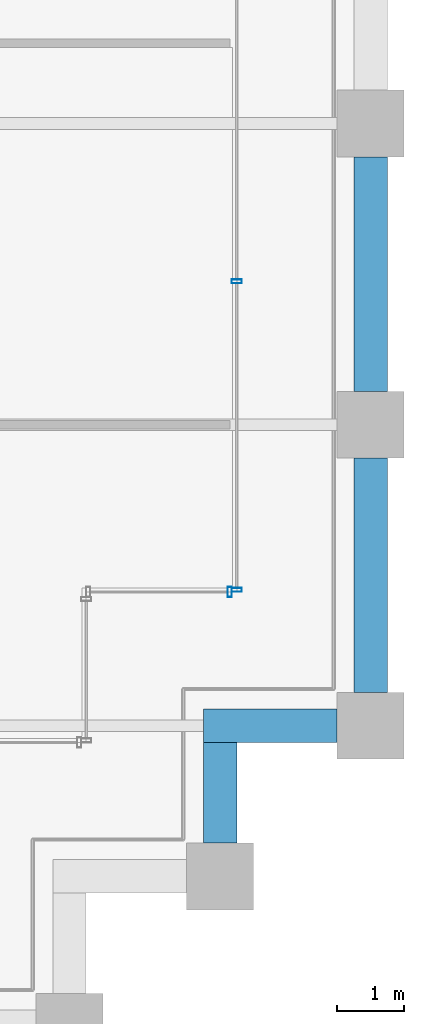
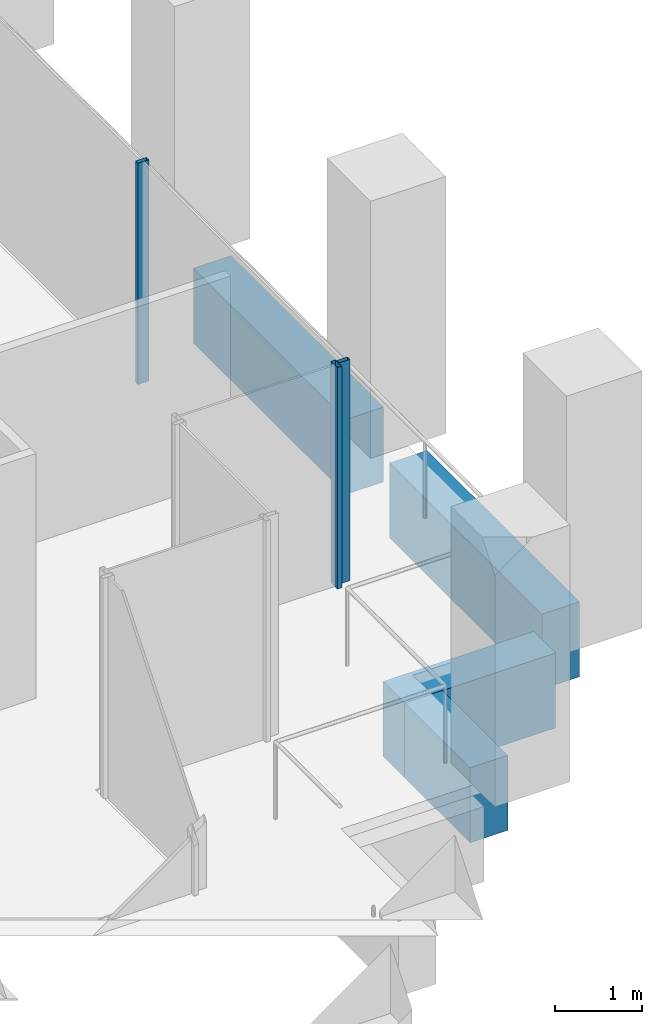
# One storey, part 37 of 47: 4 beams, 3 members, 2 elements without a shape of their own.
"""IFC4 building model written with IfcOpenShell, lengths in metres."""

from ifc_helpers import new_model, si_unit, direction, frame, origin, origin_2d, place, context, subcontext, project, spatial, rectangle, hollow_rectangle, extrude, material, material_profile, profile_set, type_object, element, aggregate, save


model = new_model("IFC4")

# Units and contexts
model_context = context("Model", 3, precision=1e-05, world=origin(), true_north=direction((0.0, 1.0)))
body_context = subcontext(model_context, "Body", "Model", "MODEL_VIEW")
ifc_project = project(units=[si_unit("LENGTHUNIT", "METRE"), si_unit("AREAUNIT", "SQUARE_METRE"), si_unit("VOLUMEUNIT", "CUBIC_METRE"), si_unit("PLANEANGLEUNIT", "RADIAN"), si_unit("MASSUNIT", "GRAM", prefix="KILO")], contexts=[model_context])

# Site, building, storey
site_placement = place(None, origin())
site = spatial("IfcSite", under=ifc_project, at=site_placement, CompositionType="ELEMENT")
building_placement = place(site_placement, origin())
building = spatial("IfcBuilding", under=site, at=building_placement, Name="Altepetl Exchange Towers", CompositionType="ELEMENT")
storey_placement = place(building_placement, frame((0.0, 0.0, 99.199951171875)))
storey = spatial("IfcBuildingStorey", under=building, at=storey_placement, Name="L24", CompositionType="ELEMENT", Elevation=99.199951171875)

# Curtain wall, member
ifc_material_1 = material(Name="Aluminium 6063-T6 glazing", Category="aluminium")
curtain_wall_type = type_object("IfcCurtainWallType", Name="Loggia glazing system", PredefinedType="NOTDEFINED", material=ifc_material_1)
curtain_wall_1_placement = place(storey_placement, origin())
curtain_wall_1 = element("IfcCurtainWall", 1, at=curtain_wall_1_placement, inside=storey, type_object=curtain_wall_type, Name="CW1 run", PredefinedType="NOTDEFINED")
ifc_material_2 = material(Name="Aluminium 6063-T6", Category="aluminium")
ifc_material_profile_1 = material_profile(ifc_material_2, hollow_rectangle(XDim=0.06005859375, YDim=0.14990234375, WallThickness=0.0029296875, at=origin_2d()), Name="Mullion 60x150 aluminium")
ifc_profile_set_1 = profile_set([ifc_material_profile_1], Name="Aluminium 6063-T6")
member_type = type_object("IfcMemberType", Name="Mullion 60x150 aluminium", PredefinedType="MULLION", material=ifc_profile_set_1)
member_1_placement = place(storey_placement, frame((123.89501953125, 33.5, 0.0)))
member_1 = element("IfcMember", 2, at=member_1_placement, type_object=member_type, Name="MU1 mullion", PredefinedType="MULLION", context=body_context, shape_type="SweptSolid", body=[
    extrude(hollow_rectangle(XDim=0.06005859375, YDim=0.14990234375, WallThickness=0.0029296875, at=origin_2d()), origin(), (0.0, 0.0, 1.0), 3.10009765625),
])
aggregate(curtain_wall_1, [member_1])

# Curtain wall, members
curtain_wall_2_placement = place(storey_placement, origin())
curtain_wall_2 = element("IfcCurtainWall", 3, at=curtain_wall_2_placement, inside=storey, type_object=curtain_wall_type, Name="CW1 run", PredefinedType="NOTDEFINED")
member_2_placement = place(storey_placement, frame((124.0, 33.530029296875, 0.0), z_axis=(0.0, 0.0, 1.0), x_axis=(0.0, 1.0, 0.0)))
member_2 = element("IfcMember", 4, at=member_2_placement, type_object=member_type, Name="MU1 mullion", PredefinedType="MULLION", context=body_context, shape_type="SweptSolid", body=[
    extrude(hollow_rectangle(XDim=0.06005859375, YDim=0.14990234375, WallThickness=0.0029296875, at=origin_2d()), origin(), (0.0, 0.0, 1.0), 3.10009765625),
])
member_3_placement = place(storey_placement, frame((124.0, 38.1416015625, 0.0), z_axis=(0.0, 0.0, 1.0), x_axis=(0.0, 1.0, 0.0)))
member_3 = element("IfcMember", 5, at=member_3_placement, type_object=member_type, Name="MU1 mullion", PredefinedType="MULLION", context=body_context, shape_type="SweptSolid", body=[
    extrude(hollow_rectangle(XDim=0.06005859375, YDim=0.14990234375, WallThickness=0.0029296875, at=origin_2d()), origin(), (0.0, 0.0, 1.0), 3.10009765625),
])
aggregate(curtain_wall_2, [member_2, member_3])

# Beams
ifc_material_3 = material(Name="Concrete C50/60 precast with cantera blanca facing", Category="concrete")
ifc_material_profile_2 = material_profile(ifc_material_3, rectangle(XDim=0.5, YDim=1.050048828125, at=origin_2d()), Name="500 x 1050")
ifc_profile_set_2 = profile_set([ifc_material_profile_2], Name="Concrete C50/60 precast with cantera blanca facing")
beam_type = type_object("IfcBeamType", Name="Spandrel beam 500x1050 cantera blanca", PredefinedType="SPANDREL", material=ifc_profile_set_2)
beam_1_placement = place(storey_placement, frame((123.75, 29.75, -0.675048828125), z_axis=(0.0, 1.0, 0.0), x_axis=(-1.0, 0.0, 0.0)))
element("IfcBeam", 6, at=beam_1_placement, inside=storey, type_object=beam_type, Name="sp:B:L24:007", PredefinedType="SPANDREL", context=body_context, shape_type="SweptSolid", body=[
    extrude(rectangle(XDim=0.5, YDim=1.050048828125, at=origin_2d()), origin(), (0.0, 0.0, 1.0), 1.5),
])
beam_2_placement = place(storey_placement, frame((123.5, 31.5, -0.675048828125), z_axis=(1.0, 0.0, 0.0), x_axis=(0.0, 1.0, 0.0)))
element("IfcBeam", 7, at=beam_2_placement, inside=storey, type_object=beam_type, Name="sp:B:L24:008", PredefinedType="SPANDREL", context=body_context, shape_type="SweptSolid", body=[
    extrude(rectangle(XDim=0.5, YDim=1.050048828125, at=origin_2d()), origin(), (0.0, 0.0, 1.0), 2.0),
])
for number, where, z_axis, x_axis, name in (
    (8, (126.0, 32.0, -0.675048828125), (0.0, 1.0, 0.0), (-1.0, 0.0, 0.0), "sp:B:L24:009"),
    (9, (126.0, 36.5, -0.675048828125), (0.0, 1.0, 0.0), (-1.0, 0.0, 0.0), "sp:B:L24:010"),
):
    element("IfcBeam", number, at=place(storey_placement, frame(where, z_axis=z_axis, x_axis=x_axis)), inside=storey, type_object=beam_type, Name=name, PredefinedType="SPANDREL", context=body_context, shape_type="SweptSolid", body=[
        extrude(rectangle(XDim=0.5, YDim=1.050048828125, at=origin_2d()), origin(), (0.0, 0.0, 1.0), 3.5),
    ])

save(model, "model.ifc")
